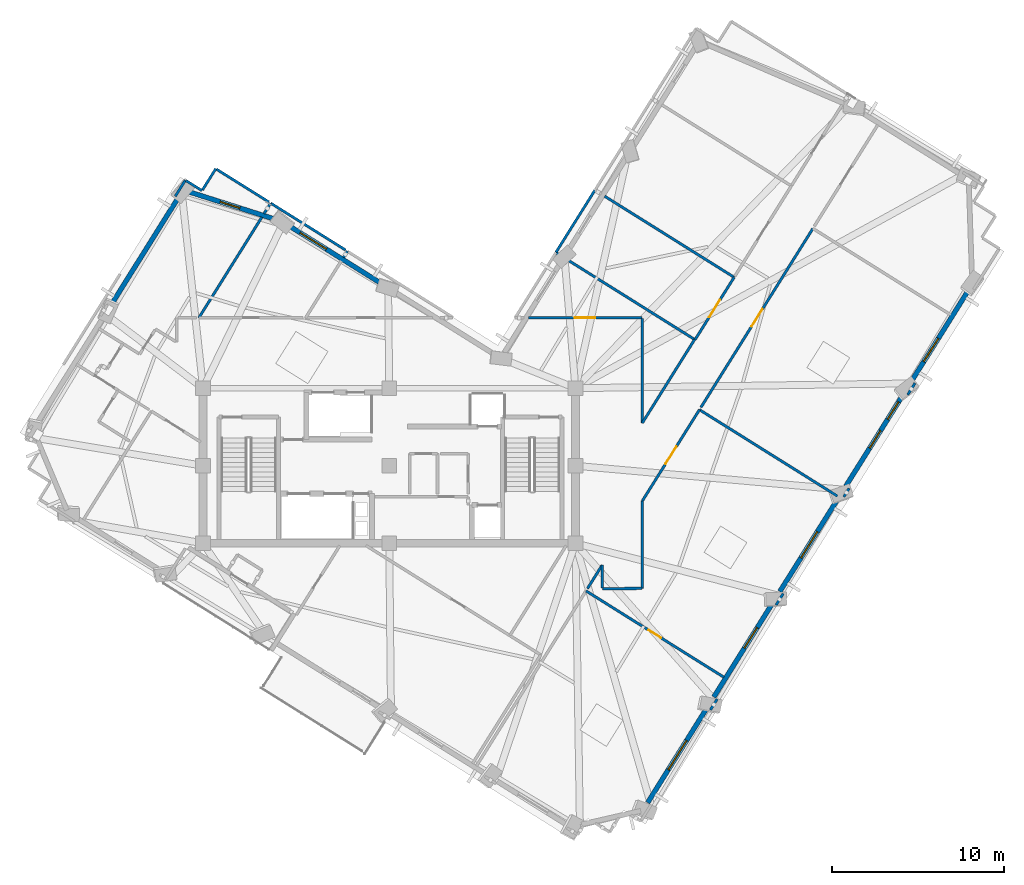
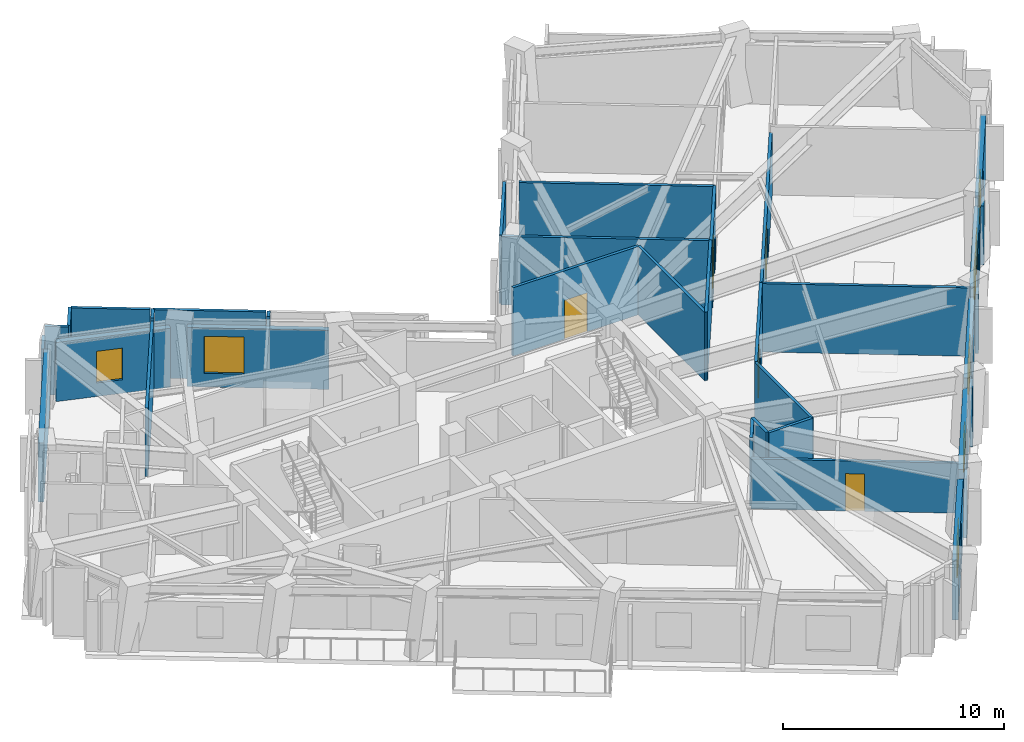
# One storey, part 7 of 12: 35 walls, 8 windows, 5 doors, 13 openings.
"""IFC4 building model written with IfcOpenShell, lengths in metres."""

from ifc_helpers import new_model, si_unit, direction, frame, frame_2d, origin, place, context, subcontext, project, spatial, rectangle, extrude, material, layer, layer_set, type_object, element, fill, save


model = new_model("IFC4")

# Units and contexts
model_context = context("Model", 3, precision=1e-05, world=origin(), true_north=direction((0.0, 1.0)))
body_context = subcontext(model_context, "Body", "Model", "MODEL_VIEW")
ifc_project = project(units=[si_unit("LENGTHUNIT", "METRE"), si_unit("AREAUNIT", "SQUARE_METRE"), si_unit("VOLUMEUNIT", "CUBIC_METRE"), si_unit("PLANEANGLEUNIT", "RADIAN"), si_unit("MASSUNIT", "GRAM", prefix="KILO")], contexts=[model_context])

# Site, building, storey
site_placement = place(None, origin())
site = spatial("IfcSite", under=ifc_project, at=site_placement, CompositionType="ELEMENT")
building_placement = place(site_placement, origin())
building = spatial("IfcBuilding", under=site, at=building_placement, Name="Gaonmaruhae Medical Tower", CompositionType="ELEMENT")
storey_placement = place(building_placement, frame((0.0, 0.0, 272.60009765625)))
storey = spatial("IfcBuildingStorey", under=building, at=storey_placement, Name="L65", CompositionType="ELEMENT", Elevation=272.60009765625)

# Wall, opening, window
ifc_material_1 = material(Name="Precast concrete C45/55", Category="concrete")
ifc_layer_1 = layer(ifc_material_1, 0.280029296875)
ifc_layer_set_1 = layer_set([ifc_layer_1], Name="Precast concrete C45/55")
wall_type_1 = type_object("IfcWallType", Name="EW-280 Upper Precast Masonry-Frame Facade Wall", PredefinedType="SOLIDWALL", material=ifc_layer_set_1)
wall_1_placement = place(storey_placement, frame((43.232666015625, -1.743408203125, 0.0), z_axis=(0.0, 0.0, 1.0), x_axis=(-0.530675623672, -0.847575001071, 0.0)))
wall_1 = element("IfcWall", 1, at=wall_1_placement, inside=storey, type_object=wall_type_1, Name="L65 Precast Masonry-Frame Wall S01-S02", PredefinedType="SOLIDWALL", context=body_context, shape_type="SweptSolid", body=[
    extrude(rectangle(XDim=6.484375, YDim=0.280029296875, at=frame_2d((3.2421875, 0.0))), origin(), (0.0, 0.0, 1.0), 3.264892578125),
])
opening_1_placement = place(wall_1_placement, frame((2.234130859375, 0.0, 0.75)))
opening_1 = element("IfcOpeningElement", 2, at=opening_1_placement, cuts=wall_1, Name="Opening WN-02", PredefinedType="OPENING", context=body_context, shape_type="SweptSolid", body=[
    extrude(rectangle(XDim=2.0, YDim=1.949951171875, at=frame_2d((1.0, 0.97509765625))), frame((0.0, 0.14990234375, 0.0), z_axis=(0.0, -1.0, 0.0), x_axis=(1.0, 0.0, 0.0)), (0.0, 0.0, 1.0), 0.300048828125),
])
ifc_material_2 = material(Name="Anodised aluminium and Low-E double glazing", Category="aluminium")
window_type_1 = type_object("IfcWindowType", Name="WN-02 Double-Bed Ward Punched Window 2000x1950", PartitioningType="SINGLE_PANEL", PredefinedType="WINDOW", material=ifc_material_2)
window_1_placement = place(opening_1_placement, origin())
window_1 = element("IfcWindow", 3, at=window_1_placement, inside=storey, type_object=window_type_1, Name="L65 Modular Facade Window S01", OverallHeight=1.949951171875, OverallWidth=2.0, PartitioningType="SINGLE_PANEL", PredefinedType="WINDOW", context=body_context, shape_type="SweptSolid", body=[
    extrude(rectangle(XDim=2.0, YDim=1.949951171875, at=frame_2d((1.0, 0.97509765625))), frame((0.0, 0.030029296875, 0.0), z_axis=(0.0, -1.0, 0.0), x_axis=(1.0, 0.0, 0.0)), (0.0, 0.0, 1.0), 0.06005859375),
])
fill(opening_1, window_1)

wall_2_placement = place(storey_placement, frame((47.0439453125, 4.343994140625, 0.0), z_axis=(0.0, 0.0, 1.0), x_axis=(-0.53066340858, -0.847582648946, 0.0)))
wall_2 = element("IfcWall", 4, at=wall_2_placement, inside=storey, type_object=wall_type_1, Name="L65 Precast Masonry-Frame Wall S02-S03", PredefinedType="SOLIDWALL", context=body_context, shape_type="SweptSolid", body=[
    extrude(rectangle(XDim=6.438720703125, YDim=0.280029296875, at=frame_2d((3.21923828125, 0.0))), origin(), (0.0, 0.0, 1.0), 3.264892578125),
])
opening_2_placement = place(wall_2_placement, frame((1.6953125, 0.0, 0.75)))
opening_2 = element("IfcOpeningElement", 5, at=opening_2_placement, cuts=wall_2, Name="Opening WN-03", PredefinedType="OPENING", context=body_context, shape_type="SweptSolid", body=[
    extrude(rectangle(XDim=1.39990234375, YDim=1.85009765625, at=frame_2d((0.699951171875, 0.925048828125))), frame((0.0, 0.14990234375, 0.0), z_axis=(0.0, -1.0, 0.0), x_axis=(1.0, 0.0, 0.0)), (0.0, 0.0, 1.0), 0.300048828125),
])
window_type_2 = type_object("IfcWindowType", Name="WN-03 Isolation Ward Punched Window 1400x1850", PartitioningType="SINGLE_PANEL", PredefinedType="WINDOW", material=ifc_material_2)
window_2_placement = place(opening_2_placement, origin())
window_2 = element("IfcWindow", 6, at=window_2_placement, inside=storey, type_object=window_type_2, Name="L65 Modular Facade Window S02", OverallHeight=1.85009765625, OverallWidth=1.39990234375, PartitioningType="SINGLE_PANEL", PredefinedType="WINDOW", context=body_context, shape_type="SweptSolid", body=[
    extrude(rectangle(XDim=1.39990234375, YDim=1.85009765625, at=frame_2d((0.699951171875, 0.925048828125))), frame((0.0, 0.030029296875, 0.0), z_axis=(0.0, -1.0, 0.0), x_axis=(1.0, 0.0, 0.0)), (0.0, 0.0, 1.0), 0.06005859375),
])
fill(opening_2, window_2)

wall_3_placement = place(storey_placement, frame((50.8603515625, 10.439697265625, 0.0), z_axis=(0.0, 0.0, 1.0), x_axis=(-0.530676257758, -0.847574604063, 0.0)))
wall_3 = element("IfcWall", 7, at=wall_3_placement, inside=storey, type_object=wall_type_1, Name="L65 Precast Masonry-Frame Wall S03-S04", PredefinedType="SOLIDWALL", context=body_context, shape_type="SweptSolid", body=[
    extrude(rectangle(XDim=6.41357421875, YDim=0.280029296875, at=frame_2d((3.206787109375, 0.0))), origin(), (0.0, 0.0, 1.0), 3.264892578125),
])
opening_3_placement = place(wall_3_placement, frame((2.3046875, 0.0, 0.75)))
opening_3 = element("IfcOpeningElement", 8, at=opening_3_placement, cuts=wall_3, Name="Opening WN-04", PredefinedType="OPENING", context=body_context, shape_type="SweptSolid", body=[
    extrude(rectangle(XDim=1.800048828125, YDim=2.050048828125, at=frame_2d((0.89990234375, 1.02490234375))), frame((0.0, 0.14990234375, 0.0), z_axis=(0.0, -1.0, 0.0), x_axis=(1.0, 0.0, 0.0)), (0.0, 0.0, 1.0), 0.300048828125),
])
window_type_3 = type_object("IfcWindowType", Name="WN-04 Clinic & Consult Punched Window 1800x2050", PartitioningType="SINGLE_PANEL", PredefinedType="WINDOW", material=ifc_material_2)
window_3_placement = place(opening_3_placement, origin())
window_3 = element("IfcWindow", 9, at=window_3_placement, inside=storey, type_object=window_type_3, Name="L65 Modular Facade Window S03", OverallHeight=2.050048828125, OverallWidth=1.800048828125, PartitioningType="SINGLE_PANEL", PredefinedType="WINDOW", context=body_context, shape_type="SweptSolid", body=[
    extrude(rectangle(XDim=1.800048828125, YDim=2.050048828125, at=frame_2d((0.89990234375, 1.02490234375))), frame((0.0, 0.030029296875, 0.0), z_axis=(0.0, -1.0, 0.0), x_axis=(1.0, 0.0, 0.0)), (0.0, 0.0, 1.0), 0.06005859375),
])
fill(opening_3, window_3)

# Wall, openings, windows
wall_4_placement = place(storey_placement, frame((54.681396484375, 16.54296875, 0.0), z_axis=(0.0, 0.0, 1.0), x_axis=(-0.530659848468, -0.847584877888, 0.0)))
wall_4 = element("IfcWall", 10, at=wall_4_placement, inside=storey, type_object=wall_type_1, Name="L65 Precast Masonry-Frame Wall S04-S05", PredefinedType="SOLIDWALL", context=body_context, shape_type="SweptSolid", body=[
    extrude(rectangle(XDim=6.406982421875, YDim=0.280029296875, at=frame_2d((3.20361328125, 0.0))), origin(), (0.0, 0.0, 1.0), 3.264892578125),
])
opening_4_placement = place(wall_4_placement, frame((2.603759765625, 0.0, 0.75)))
opening_4 = element("IfcOpeningElement", 11, at=opening_4_placement, cuts=wall_4, Name="Opening WN-05", PredefinedType="OPENING", context=body_context, shape_type="SweptSolid", body=[
    extrude(rectangle(XDim=1.199951171875, YDim=1.75, at=frame_2d((0.60009765625, 0.875))), frame((0.0, 0.14990234375, 0.0), z_axis=(0.0, -1.0, 0.0), x_axis=(1.0, 0.0, 0.0)), (0.0, 0.0, 1.0), 0.300048828125),
])
opening_5_placement = place(wall_4_placement, frame((0.637451171875, 0.0, 0.75)))
opening_5 = element("IfcOpeningElement", 12, at=opening_5_placement, cuts=wall_4, Name="Opening WN-05", PredefinedType="OPENING", context=body_context, shape_type="SweptSolid", body=[
    extrude(rectangle(XDim=1.199951171875, YDim=1.75, at=frame_2d((0.60009765625, 0.875))), frame((0.0, 0.14990234375, 0.0), z_axis=(0.0, -1.0, 0.0), x_axis=(1.0, 0.0, 0.0)), (0.0, 0.0, 1.0), 0.300048828125),
])
window_type_4 = type_object("IfcWindowType", Name="WN-05 Support & Staff Punched Window 1200x1750", PartitioningType="SINGLE_PANEL", PredefinedType="WINDOW", material=ifc_material_2)
window_4_placement = place(opening_4_placement, origin())
window_4 = element("IfcWindow", 13, at=window_4_placement, inside=storey, type_object=window_type_4, Name="L65 Modular Facade Window S04", OverallHeight=1.75, OverallWidth=1.199951171875, PartitioningType="SINGLE_PANEL", PredefinedType="WINDOW", context=body_context, shape_type="SweptSolid", body=[
    extrude(rectangle(XDim=1.199951171875, YDim=1.75, at=frame_2d((0.60009765625, 0.875))), frame((0.0, 0.030029296875, 0.0), z_axis=(0.0, -1.0, 0.0), x_axis=(1.0, 0.0, 0.0)), (0.0, 0.0, 1.0), 0.06005859375),
])
fill(opening_4, window_4)
window_5_placement = place(opening_5_placement, origin())
window_5 = element("IfcWindow", 14, at=window_5_placement, inside=storey, type_object=window_type_4, Name="L65 Modular Facade Window S04B", OverallHeight=1.75, OverallWidth=1.199951171875, PartitioningType="SINGLE_PANEL", PredefinedType="WINDOW", context=body_context, shape_type="SweptSolid", body=[
    extrude(rectangle(XDim=1.199951171875, YDim=1.75, at=frame_2d((0.60009765625, 0.875))), frame((0.0, 0.030029296875, 0.0), z_axis=(0.0, -1.0, 0.0), x_axis=(1.0, 0.0, 0.0)), (0.0, 0.0, 1.0), 0.06005859375),
])
fill(opening_5, window_5)

# Wall, opening, window
wall_5_placement = place(storey_placement, frame((58.50732421875, 22.65380859375, 0.0), z_axis=(0.0, 0.0, 1.0), x_axis=(-0.530658662943, -0.847585620125, 0.0)))
wall_5 = element("IfcWall", 15, at=wall_5_placement, inside=storey, type_object=wall_type_1, Name="L65 Precast Masonry-Frame Wall S05-S06", PredefinedType="SOLIDWALL", context=body_context, shape_type="SweptSolid", body=[
    extrude(rectangle(XDim=6.41845703125, YDim=0.280029296875, at=frame_2d((3.209228515625, 0.0))), origin(), (0.0, 0.0, 1.0), 3.264892578125),
])
opening_6_placement = place(wall_5_placement, frame((3.492919921875, 0.0, 0.75)))
opening_6 = element("IfcOpeningElement", 16, at=opening_6_placement, cuts=wall_5, Name="Opening WN-01", PredefinedType="OPENING", context=body_context, shape_type="SweptSolid", body=[
    extrude(rectangle(XDim=1.60009765625, YDim=1.949951171875, at=frame_2d((0.800048828125, 0.97509765625))), frame((0.0, 0.14990234375, 0.0), z_axis=(0.0, -1.0, 0.0), x_axis=(1.0, 0.0, 0.0)), (0.0, 0.0, 1.0), 0.300048828125),
])
window_type_5 = type_object("IfcWindowType", Name="WN-01 Ward Punched Acoustic Window 1600x1950", PartitioningType="SINGLE_PANEL", PredefinedType="WINDOW", material=ifc_material_2)
window_6_placement = place(opening_6_placement, origin())
window_6 = element("IfcWindow", 17, at=window_6_placement, inside=storey, type_object=window_type_5, Name="L65 Modular Facade Window S05", OverallHeight=1.949951171875, OverallWidth=1.60009765625, PartitioningType="SINGLE_PANEL", PredefinedType="WINDOW", context=body_context, shape_type="SweptSolid", body=[
    extrude(rectangle(XDim=1.60009765625, YDim=1.949951171875, at=frame_2d((0.800048828125, 0.97509765625))), frame((0.0, 0.030029296875, 0.0), z_axis=(0.0, -1.0, 0.0), x_axis=(1.0, 0.0, 0.0)), (0.0, 0.0, 1.0), 0.06005859375),
])
fill(opening_6, window_6)

wall_6_placement = place(storey_placement, frame((18.967041015625, 26.233642578125, 0.0), z_axis=(0.0, 0.0, 1.0), x_axis=(0.847594536736, -0.530644420771, 0.0)))
wall_6 = element("IfcWall", 18, at=wall_6_placement, inside=storey, type_object=wall_type_1, Name="L65 Precast Masonry-Frame Wall NE01-NE02", PredefinedType="SOLIDWALL", context=body_context, shape_type="SweptSolid", body=[
    extrude(rectangle(XDim=6.424072265625, YDim=0.280029296875, at=frame_2d((3.2119140625, 0.0))), origin(), (0.0, 0.0, 1.0), 3.264892578125),
])
opening_7_placement = place(wall_6_placement, frame((0.776123046875, 0.0, 0.75)))
opening_7 = element("IfcOpeningElement", 19, at=opening_7_placement, cuts=wall_6, Name="Opening WN-04", PredefinedType="OPENING", context=body_context, shape_type="SweptSolid", body=[
    extrude(rectangle(XDim=1.800048828125, YDim=2.050048828125, at=frame_2d((0.89990234375, 1.02490234375))), frame((0.0, 0.14990234375, 0.0), z_axis=(0.0, -1.0, 0.0), x_axis=(1.0, 0.0, 0.0)), (0.0, 0.0, 1.0), 0.300048828125),
])
window_7_placement = place(opening_7_placement, origin())
window_7 = element("IfcWindow", 20, at=window_7_placement, inside=storey, type_object=window_type_3, Name="L65 Modular Facade Window NE01", OverallHeight=2.050048828125, OverallWidth=1.800048828125, PartitioningType="SINGLE_PANEL", PredefinedType="WINDOW", context=body_context, shape_type="SweptSolid", body=[
    extrude(rectangle(XDim=1.800048828125, YDim=2.050048828125, at=frame_2d((0.89990234375, 1.02490234375))), frame((0.0, 0.030029296875, 0.0), z_axis=(0.0, -1.0, 0.0), x_axis=(1.0, 0.0, 0.0)), (0.0, 0.0, 1.0), 0.06005859375),
])
fill(opening_7, window_7)

wall_7_placement = place(storey_placement, frame((13.208740234375, 28.181640625, 0.0), z_axis=(0.0, 0.0, 1.0), x_axis=(0.952825347656, -0.303519121086, 0.0)))
wall_7 = element("IfcWall", 21, at=wall_7_placement, inside=storey, type_object=wall_type_1, Name="L65 Precast Masonry-Frame Wall NE02-N01", PredefinedType="SOLIDWALL", context=body_context, shape_type="SweptSolid", body=[
    extrude(rectangle(XDim=5.302490234375, YDim=0.280029296875, at=frame_2d((2.6513671875, 0.0))), origin(), (0.0, 0.0, 1.0), 3.264892578125),
])
opening_8_placement = place(wall_7_placement, frame((1.87548828125, 0.0, 0.75)))
opening_8 = element("IfcOpeningElement", 22, at=opening_8_placement, cuts=wall_7, Name="Opening WN-05", PredefinedType="OPENING", context=body_context, shape_type="SweptSolid", body=[
    extrude(rectangle(XDim=1.199951171875, YDim=1.75, at=frame_2d((0.60009765625, 0.875))), frame((0.0, 0.14990234375, 0.0), z_axis=(0.0, -1.0, 0.0), x_axis=(1.0, 0.0, 0.0)), (0.0, 0.0, 1.0), 0.300048828125),
])
window_8_placement = place(opening_8_placement, origin())
window_8 = element("IfcWindow", 23, at=window_8_placement, inside=storey, type_object=window_type_4, Name="L65 Modular Facade Window NE02", OverallHeight=1.75, OverallWidth=1.199951171875, PartitioningType="SINGLE_PANEL", PredefinedType="WINDOW", context=body_context, shape_type="SweptSolid", body=[
    extrude(rectangle(XDim=1.199951171875, YDim=1.75, at=frame_2d((0.60009765625, 0.875))), frame((0.0, 0.030029296875, 0.0), z_axis=(0.0, -1.0, 0.0), x_axis=(1.0, 0.0, 0.0)), (0.0, 0.0, 1.0), 0.06005859375),
])
fill(opening_8, window_8)

# Wall
wall_8_placement = place(storey_placement, frame((8.6044921875, 21.529052734375, 0.0), z_axis=(0.0, 0.0, 1.0), x_axis=(0.530668867354, 0.847579231235, 0.0)))
element("IfcWall", 24, at=wall_8_placement, inside=storey, type_object=wall_type_1, Name="L65 Precast Masonry-Frame Wall N01-N02", PredefinedType="SOLIDWALL", context=body_context, shape_type="SweptSolid", body=[
    extrude(rectangle(XDim=7.43408203125, YDim=0.280029296875, at=frame_2d((3.717041015625, 0.0))), origin(), (0.0, 0.0, 1.0), 3.264892578125),
])

# Wall, opening, door
ifc_material_3 = material(Name="Gypsum board partition", Category="gypsum")
ifc_layer_2 = layer(ifc_material_3, 0.14990234375)
ifc_layer_set_2 = layer_set([ifc_layer_2], Name="Gypsum board partition")
wall_type_2 = type_object("IfcWallType", Name="PW-150 Rated Clinical Corridor Partition", PredefinedType="PARTITIONING", material=ifc_layer_set_2)
wall_9_placement = place(storey_placement, frame((36.212890625, 5.0419921875, 0.0), z_axis=(0.0, 0.0, 1.0), x_axis=(0.84760270386, -0.530631375259, 0.0)))
wall_9 = element("IfcWall", 25, at=wall_9_placement, inside=storey, type_object=wall_type_2, Name="L65 Interior Partition L65-SUP01-13", PredefinedType="PARTITIONING", context=body_context, shape_type="SweptSolid", body=[
    extrude(rectangle(XDim=9.43603515625, YDim=0.14990234375, at=frame_2d((4.718017578125, 0.0))), origin(), (0.0, 0.0, 1.0), 2.764892578125),
])
opening_9_placement = place(wall_9_placement, frame((4.2880859375, 0.0, 0.0)))
opening_9 = element("IfcOpeningElement", 26, at=opening_9_placement, cuts=wall_9, Name="Opening AD-01", PredefinedType="OPENING", context=body_context, shape_type="SweptSolid", body=[
    extrude(rectangle(XDim=0.860107421875, YDim=2.06005859375, at=frame_2d((0.43017578125, 1.030029296875))), frame((0.0, 0.0849609375, 0.0), z_axis=(0.0, -1.0, 0.0), x_axis=(1.0, 0.0, 0.0)), (0.0, 0.0, 1.0), 0.169921875),
])
ifc_material_4 = material(Name="Powder-coated steel access door", Category="steel")
door_type_1 = type_object("IfcDoorType", Name="AD-01 Riser & Closet Access Fire Door 860x2060", OperationType="NOTDEFINED", PredefinedType="DOOR", material=ifc_material_4)
door_1_placement = place(opening_9_placement, origin())
door_1 = element("IfcDoor", 27, at=door_1_placement, inside=storey, type_object=door_type_1, Name="L65 Clinical Biomedical Charting Office Sliding Door", OperationType="SLIDING_TO_LEFT", OverallHeight=2.06005859375, OverallWidth=0.860107421875, PredefinedType="DOOR", context=body_context, shape_type="SweptSolid", body=[
    extrude(rectangle(XDim=0.860107421875, YDim=2.06005859375, at=frame_2d((0.43017578125, 1.030029296875))), frame((0.0, 0.02490234375, 0.0), z_axis=(0.0, -1.0, 0.0), x_axis=(1.0, 0.0, 0.0)), (0.0, 0.0, 1.0), 0.050048828125),
])
fill(opening_9, door_1)

# Walls
wall_10_placement = place(storey_placement, frame((43.822021484375, -1.235107421875, 0.0), z_axis=(0.0, 0.0, 1.0), x_axis=(-0.530353333929, -0.847776704793, 0.0)))
element("IfcWall", 28, at=wall_10_placement, inside=storey, type_object=wall_type_2, Name="L65 Interior Partition L65-SUP01-14", PredefinedType="PARTITIONING", context=body_context, shape_type="SweptSolid", body=[
    extrude(rectangle(XDim=0.742919921875, YDim=0.14990234375, at=frame_2d((0.37158203125, 0.0))), origin(), (0.0, 0.0, 1.0), 3.264892578125),
])
wall_11_placement = place(storey_placement, frame((37.179931640625, 5.169921875, 0.0), z_axis=(0.0, 0.0, 1.0), x_axis=(0.999975377948, 0.007017371073, 0.0)))
element("IfcWall", 29, at=wall_11_placement, inside=storey, type_object=wall_type_2, Name="L65 Interior Partition L65-SUP02-18", PredefinedType="PARTITIONING", context=body_context, shape_type="SweptSolid", body=[
    extrude(rectangle(XDim=2.296142578125, YDim=0.14990234375, at=frame_2d((1.14794921875, 0.0))), origin(), (0.0, 0.0, 1.0), 3.77978515625),
])
wall_12_placement = place(storey_placement, frame((39.47607421875, 5.18603515625, 0.0), z_axis=(0.0, 0.0, 1.0), x_axis=(0.000770007953, 0.999999703544, 0.0)))
element("IfcWall", 30, at=wall_12_placement, inside=storey, type_object=wall_type_2, Name="L65 Interior Partition L65-SUP02-19", PredefinedType="PARTITIONING", context=body_context, shape_type="SweptSolid", body=[
    extrude(rectangle(XDim=5.072998046875, YDim=0.14990234375, at=frame_2d((2.53662109375, 0.0))), origin(), (0.0, 0.0, 1.0), 3.77978515625),
])

# Wall, opening, door
wall_13_placement = place(storey_placement, frame((39.47998046875, 10.259033203125, 0.0), z_axis=(0.0, 0.0, 1.0), x_axis=(0.530673487846, 0.84757633833, 0.0)))
wall_13 = element("IfcWall", 31, at=wall_13_placement, inside=storey, type_object=wall_type_2, Name="L65 Interior Partition L65-SUP02-20", PredefinedType="PARTITIONING", context=body_context, shape_type="SweptSolid", body=[
    extrude(rectangle(XDim=6.244873046875, YDim=0.14990234375, at=frame_2d((3.12255859375, 0.0))), origin(), (0.0, 0.0, 1.0), 3.77978515625),
])
opening_10_placement = place(wall_13_placement, frame((2.5224609375, 0.0, 0.0)))
opening_10 = element("IfcOpeningElement", 32, at=opening_10_placement, cuts=wall_13, Name="Opening CD-02", PredefinedType="OPENING", context=body_context, shape_type="SweptSolid", body=[
    extrude(rectangle(XDim=1.199951171875, YDim=2.14990234375, at=frame_2d((0.60009765625, 1.074951171875))), frame((0.0, 0.0849609375, 0.0), z_axis=(0.0, -1.0, 0.0), x_axis=(1.0, 0.0, 0.0)), (0.0, 0.0, 1.0), 0.169921875),
])
ifc_material_5 = material(Name="Antimicrobial laminate timber fire door", Category="wood")
door_type_2 = type_object("IfcDoorType", Name="CD-02 Clinical Treatment & Procedure Door 1200x2150", OperationType="NOTDEFINED", PredefinedType="DOOR", material=ifc_material_5)
door_2_placement = place(opening_10_placement, origin())
door_2 = element("IfcDoor", 33, at=door_2_placement, inside=storey, type_object=door_type_2, Name="L65 Clinical Biomedical Charting Office Door", OperationType="SINGLE_SWING_LEFT", OverallHeight=2.14990234375, OverallWidth=1.199951171875, PredefinedType="DOOR", context=body_context, shape_type="SweptSolid", body=[
    extrude(rectangle(XDim=1.199951171875, YDim=2.14990234375, at=frame_2d((0.60009765625, 1.074951171875))), frame((0.0, 0.02490234375, 0.0), z_axis=(0.0, -1.0, 0.0), x_axis=(1.0, 0.0, 0.0)), (0.0, 0.0, 1.0), 0.050048828125),
])
fill(opening_10, door_2)

# Walls
wall_14_placement = place(storey_placement, frame((42.7939453125, 15.552001953125, 0.0), z_axis=(0.0, 0.0, 1.0), x_axis=(0.84754648377, -0.530721167704, 0.0)))
element("IfcWall", 34, at=wall_14_placement, inside=storey, type_object=wall_type_2, Name="L65 Interior Partition L65-SUP02-21", PredefinedType="PARTITIONING", context=body_context, shape_type="SweptSolid", body=[
    extrude(rectangle(XDim=9.447265625, YDim=0.14990234375, at=frame_2d((4.7236328125, 0.0))), origin(), (0.0, 0.0, 1.0), 3.77978515625),
])
wall_15_placement = place(storey_placement, frame((47.652099609375, 4.882080078125, 0.0), z_axis=(0.0, 0.0, 1.0), x_axis=(-0.530449748076, -0.847716382268, 0.0)))
element("IfcWall", 35, at=wall_15_placement, inside=storey, type_object=wall_type_2, Name="L65 Interior Partition L65-SUP02-22", PredefinedType="PARTITIONING", context=body_context, shape_type="SweptSolid", body=[
    extrude(rectangle(XDim=0.77880859375, YDim=0.14990234375, at=frame_2d((0.389404296875, 0.0))), origin(), (0.0, 0.0, 1.0), 3.264892578125),
])
wall_16_placement = place(storey_placement, frame((36.298095703125, 5.177001953125, 0.0), z_axis=(0.0, 0.0, 1.0), x_axis=(0.53050454214, 0.847682092986, 0.0)))
element("IfcWall", 36, at=wall_16_placement, inside=storey, type_object=wall_type_2, Name="L65 Interior Partition L65-SUP02-23", PredefinedType="PARTITIONING", context=body_context, shape_type="SweptSolid", body=[
    extrude(rectangle(XDim=1.605712890625, YDim=0.14990234375, at=frame_2d((0.802734375, 0.0))), origin(), (0.0, 0.0, 1.0), 3.77978515625),
])
wall_17_placement = place(storey_placement, frame((37.14990234375, 6.5380859375, 0.0), z_axis=(0.0, 0.0, 1.0), x_axis=(0.0, -1.0, 0.0)))
element("IfcWall", 37, at=wall_17_placement, inside=storey, type_object=wall_type_2, Name="L65 Interior Partition L65-SUP02-24", PredefinedType="PARTITIONING", context=body_context, shape_type="SweptSolid", body=[
    extrude(rectangle(XDim=1.341064453125, YDim=0.14990234375, at=frame_2d((0.67041015625, 0.0))), origin(), (0.0, 0.0, 1.0), 3.77978515625),
])

# Wall, opening, door
wall_18_placement = place(storey_placement, frame((42.8779296875, 15.68701171875, 0.0), z_axis=(0.0, 0.0, 1.0), x_axis=(0.530687191851, 0.847567758002, 0.0)))
wall_18 = element("IfcWall", 38, at=wall_18_placement, inside=storey, type_object=wall_type_2, Name="L65 Interior Partition L65-SUP03-25", PredefinedType="PARTITIONING", context=body_context, shape_type="SweptSolid", body=[
    extrude(rectangle(XDim=12.240966796875, YDim=0.14990234375, at=frame_2d((6.12060546875, 0.0))), origin(), (0.0, 0.0, 1.0), 3.414794921875),
])
opening_11_placement = place(wall_18_placement, frame((5.5205078125, 0.0, 0.0)))
opening_11 = element("IfcOpeningElement", 39, at=opening_11_placement, cuts=wall_18, Name="Opening CD-02", PredefinedType="OPENING", context=body_context, shape_type="SweptSolid", body=[
    extrude(rectangle(XDim=1.199951171875, YDim=2.14990234375, at=frame_2d((0.60009765625, 1.074951171875))), frame((0.0, 0.0849609375, 0.0), z_axis=(0.0, -1.0, 0.0), x_axis=(1.0, 0.0, 0.0)), (0.0, 0.0, 1.0), 0.169921875),
])
door_3_placement = place(opening_11_placement, origin())
door_3 = element("IfcDoor", 40, at=door_3_placement, inside=storey, type_object=door_type_2, Name="L65 Clinical Biomedical Charting Office Door", OperationType="SINGLE_SWING_RIGHT", OverallHeight=2.14990234375, OverallWidth=1.199951171875, PredefinedType="DOOR", context=body_context, shape_type="SweptSolid", body=[
    extrude(rectangle(XDim=1.199951171875, YDim=2.14990234375, at=frame_2d((0.60009765625, 1.074951171875))), frame((0.0, 0.02490234375, 0.0), z_axis=(0.0, -1.0, 0.0), x_axis=(1.0, 0.0, 0.0)), (0.0, 0.0, 1.0), 0.050048828125),
])
fill(opening_11, door_3)

# Walls
wall_19_placement = place(storey_placement, frame((55.2958984375, 17.092041015625, 0.0), z_axis=(0.0, 0.0, 1.0), x_axis=(-0.53041467039, -0.847738330757, 0.0)))
element("IfcWall", 41, at=wall_19_placement, inside=storey, type_object=wall_type_2, Name="L65 Interior Partition L65-SUP03-27", PredefinedType="PARTITIONING", context=body_context, shape_type="SweptSolid", body=[
    extrude(rectangle(XDim=0.791748046875, YDim=0.14990234375, at=frame_2d((0.39599609375, 0.0))), origin(), (0.0, 0.0, 1.0), 3.264892578125),
])
wall_20_placement = place(storey_placement, frame((51.47607421875, 10.990966796875, 0.0), z_axis=(0.0, 0.0, 1.0), x_axis=(-0.530036692051, -0.847974707806, 0.0)))
element("IfcWall", 42, at=wall_20_placement, inside=storey, type_object=wall_type_2, Name="L65 Interior Partition L65-SUP03-28", PredefinedType="PARTITIONING", context=body_context, shape_type="SweptSolid", body=[
    extrude(rectangle(XDim=0.581298828125, YDim=0.14990234375, at=frame_2d((0.29052734375, 0.0))), origin(), (0.0, 0.0, 1.0), 3.264892578125),
])

# Wall, opening, door
wall_21_placement = place(storey_placement, frame((39.449951171875, 20.8798828125, 0.0), z_axis=(0.0, 0.0, 1.0), x_axis=(-1.0, 0.0, 0.0)))
wall_21 = element("IfcWall", 43, at=wall_21_placement, inside=storey, type_object=wall_type_2, Name="L65 Interior Partition L65-IE01-57", PredefinedType="PARTITIONING", context=body_context, shape_type="SweptSolid", body=[
    extrude(rectangle(XDim=6.575927734375, YDim=0.14990234375, at=frame_2d((3.2880859375, 0.0))), origin(), (0.0, 0.0, 1.0), 3.77978515625),
])
opening_12_placement = place(wall_21_placement, frame((2.68798828125, 0.0, 0.0)))
opening_12 = element("IfcOpeningElement", 44, at=opening_12_placement, cuts=wall_21, Name="Opening CD-02", PredefinedType="OPENING", context=body_context, shape_type="SweptSolid", body=[
    extrude(rectangle(XDim=1.199951171875, YDim=2.14990234375, at=frame_2d((0.60009765625, 1.074951171875))), frame((0.0, 0.0849609375, 0.0), z_axis=(0.0, -1.0, 0.0), x_axis=(1.0, 0.0, 0.0)), (0.0, 0.0, 1.0), 0.169921875),
])
door_4_placement = place(opening_12_placement, origin())
door_4 = element("IfcDoor", 45, at=door_4_placement, inside=storey, type_object=door_type_2, Name="L65 Central Clinical Nurse Station Door", OperationType="SINGLE_SWING_RIGHT", OverallHeight=2.14990234375, OverallWidth=1.199951171875, PredefinedType="DOOR", context=body_context, shape_type="SweptSolid", body=[
    extrude(rectangle(XDim=1.199951171875, YDim=2.14990234375, at=frame_2d((0.60009765625, 1.074951171875))), frame((0.0, 0.02490234375, 0.0), z_axis=(0.0, -1.0, 0.0), x_axis=(1.0, 0.0, 0.0)), (0.0, 0.0, 1.0), 0.050048828125),
])
fill(opening_12, door_4)

# Walls
wall_22_placement = place(storey_placement, frame((34.4619140625, 24.669921875, 0.0), z_axis=(0.0, 0.0, 1.0), x_axis=(0.847549004831, -0.53071714162, 0.0)))
element("IfcWall", 46, at=wall_22_placement, inside=storey, type_object=wall_type_2, Name="L65 Interior Partition L65-IE01-60", PredefinedType="PARTITIONING", context=body_context, shape_type="SweptSolid", body=[
    extrude(rectangle(XDim=9.500244140625, YDim=0.14990234375, at=frame_2d((4.75, 0.0))), origin(), (0.0, 0.0, 1.0), 3.77978515625),
])
wall_23_placement = place(storey_placement, frame((42.513916015625, 19.6279296875, 0.0), z_axis=(0.0, 0.0, 1.0), x_axis=(-0.530655141338, -0.847587824931, 0.0)))
element("IfcWall", 47, at=wall_23_placement, inside=storey, type_object=wall_type_2, Name="L65 Interior Partition L65-IE01-61", PredefinedType="PARTITIONING", context=body_context, shape_type="SweptSolid", body=[
    extrude(rectangle(XDim=5.71728515625, YDim=0.14990234375, at=frame_2d((2.858642578125, 0.0))), origin(), (0.0, 0.0, 1.0), 3.77978515625),
])
wall_24_placement = place(storey_placement, frame((39.47998046875, 14.781982421875, 0.0), z_axis=(0.0, 0.0, 1.0), x_axis=(0.0, 1.0, 0.0)))
element("IfcWall", 48, at=wall_24_placement, inside=storey, type_object=wall_type_2, Name="L65 Interior Partition L65-IE01-62", PredefinedType="PARTITIONING", context=body_context, shape_type="SweptSolid", body=[
    extrude(rectangle(XDim=6.071044921875, YDim=0.14990234375, at=frame_2d((3.03564453125, 0.0))), origin(), (0.0, 0.0, 1.0), 3.77978515625),
])
wall_25_placement = place(storey_placement, frame((22.14111328125, 24.382080078125, 0.0), z_axis=(0.0, 0.0, 1.0), x_axis=(0.531665012804, 0.846954729699, 0.0)))
element("IfcWall", 49, at=wall_25_placement, inside=storey, type_object=wall_type_2, Name="L65 Interior Partition L65-IN01-66", PredefinedType="PARTITIONING", context=body_context, shape_type="SweptSolid", body=[
    extrude(rectangle(XDim=0.434326171875, YDim=0.14990234375, at=frame_2d((0.21728515625, 0.0))), origin(), (0.0, 0.0, 1.0), 3.77978515625),
])
wall_26_placement = place(storey_placement, frame((13.7548828125, 20.8798828125, 0.0), z_axis=(0.0, 0.0, 1.0), x_axis=(0.530721458617, 0.847546301605, 0.0)))
element("IfcWall", 50, at=wall_26_placement, inside=storey, type_object=wall_type_2, Name="L65 Interior Partition L65-IN02-69", PredefinedType="PARTITIONING", context=body_context, shape_type="SweptSolid", body=[
    extrude(rectangle(XDim=6.892822265625, YDim=0.14990234375, at=frame_2d((3.4462890625, 0.0))), origin(), (0.0, 0.0, 1.0), 3.77978515625),
])
wall_27_placement = place(storey_placement, frame((17.5390625, 26.923095703125, 0.0), z_axis=(0.0, 0.0, 1.0), x_axis=(0.531030285818, 0.847352840052, 0.0)))
element("IfcWall", 51, at=wall_27_placement, inside=storey, type_object=wall_type_2, Name="L65 Interior Partition L65-IN02-70", PredefinedType="PARTITIONING", context=body_context, shape_type="SweptSolid", body=[
    extrude(rectangle(XDim=0.72314453125, YDim=0.14990234375, at=frame_2d((0.361572265625, 0.0))), origin(), (0.0, 0.0, 1.0), 3.77978515625),
])
wall_28_placement = place(storey_placement, frame((17.923095703125, 27.535888671875, 0.0), z_axis=(0.0, 0.0, 1.0), x_axis=(0.847605017628, -0.530627679349, 0.0)))
element("IfcWall", 52, at=wall_28_placement, inside=storey, type_object=wall_type_2, Name="L65 Interior Partition L65-IN02-71", PredefinedType="PARTITIONING", context=body_context, shape_type="SweptSolid", body=[
    extrude(rectangle(XDim=5.129638671875, YDim=0.14990234375, at=frame_2d((2.56494140625, 0.0))), origin(), (0.0, 0.0, 1.0), 3.77978515625),
])
wall_29_placement = place(storey_placement, frame((12.387939453125, 27.930908203125, 0.0), z_axis=(0.0, 0.0, 1.0), x_axis=(0.530755372275, 0.847525064409, 0.0)))
element("IfcWall", 53, at=wall_29_placement, inside=storey, type_object=wall_type_2, Name="L65 Interior Partition L65-IN03-77", PredefinedType="PARTITIONING", context=body_context, shape_type="SweptSolid", body=[
    extrude(rectangle(XDim=1.10205078125, YDim=0.14990234375, at=frame_2d((0.551025390625, 0.0))), origin(), (0.0, 0.0, 1.0), 3.264892578125),
])
wall_30_placement = place(storey_placement, frame((13.014892578125, 28.837890625, 0.0), z_axis=(0.0, 0.0, 1.0), x_axis=(0.848111459757, -0.529817847782, 0.0)))
element("IfcWall", 54, at=wall_30_placement, inside=storey, type_object=wall_type_2, Name="L65 Interior Partition L65-IN03-78", PredefinedType="PARTITIONING", context=body_context, shape_type="SweptSolid", body=[
    extrude(rectangle(XDim=1.0908203125, YDim=0.14990234375, at=frame_2d((0.54541015625, 0.0))), origin(), (0.0, 0.0, 1.0), 3.77978515625),
])
wall_31_placement = place(storey_placement, frame((13.967041015625, 28.302001953125, 0.0), z_axis=(0.0, 0.0, 1.0), x_axis=(0.530150213956, 0.847903739019, 0.0)))
element("IfcWall", 55, at=wall_31_placement, inside=storey, type_object=wall_type_2, Name="L65 Interior Partition L65-IN03-79", PredefinedType="PARTITIONING", context=body_context, shape_type="SweptSolid", body=[
    extrude(rectangle(XDim=1.45068359375, YDim=0.14990234375, at=frame_2d((0.725341796875, 0.0))), origin(), (0.0, 0.0, 1.0), 3.77978515625),
])
wall_32_placement = place(storey_placement, frame((14.778076171875, 29.5048828125, 0.0), z_axis=(0.0, 0.0, 1.0), x_axis=(0.847631325051, -0.530585654529, 0.0)))
element("IfcWall", 56, at=wall_32_placement, inside=storey, type_object=wall_type_2, Name="L65 Interior Partition L65-IN03-80", PredefinedType="PARTITIONING", context=body_context, shape_type="SweptSolid", body=[
    extrude(rectangle(XDim=3.590087890625, YDim=0.14990234375, at=frame_2d((1.794921875, 0.0))), origin(), (0.0, 0.0, 1.0), 3.77978515625),
])
wall_33_placement = place(storey_placement, frame((34.472900390625, 24.68701171875, 0.0), z_axis=(0.0, 0.0, 1.0), x_axis=(0.530772811919, 0.84751414273, 0.0)))
element("IfcWall", 57, at=wall_33_placement, inside=storey, type_object=wall_type_2, Name="L65 Interior Partition L65-RM04-91", PredefinedType="PARTITIONING", context=body_context, shape_type="SweptSolid", body=[
    extrude(rectangle(XDim=4.25244140625, YDim=0.14990234375, at=frame_2d((2.126220703125, 0.0))), origin(), (0.0, 0.0, 1.0), 3.77978515625),
])
wall_34_placement = place(storey_placement, frame((37.29296875, 27.93798828125, 0.0), z_axis=(0.0, 0.0, 1.0), x_axis=(0.847597339737, -0.530639943531, 0.0)))
element("IfcWall", 58, at=wall_34_placement, inside=storey, type_object=wall_type_2, Name="L65 Interior Partition L65-RM04-93", PredefinedType="PARTITIONING", context=body_context, shape_type="SweptSolid", body=[
    extrude(rectangle(XDim=8.864990234375, YDim=0.14990234375, at=frame_2d((4.4326171875, 0.0))), origin(), (0.0, 0.0, 1.0), 3.77978515625),
])

# Wall, opening, door
wall_35_placement = place(storey_placement, frame((44.806884765625, 23.23388671875, 0.0), z_axis=(0.0, 0.0, 1.0), x_axis=(-0.530702319906, -0.847558285693, 0.0)))
wall_35 = element("IfcWall", 59, at=wall_35_placement, inside=storey, type_object=wall_type_2, Name="L65 Interior Partition L65-RM04-94", PredefinedType="PARTITIONING", context=body_context, shape_type="SweptSolid", body=[
    extrude(rectangle(XDim=4.273193359375, YDim=0.14990234375, at=frame_2d((2.13671875, 0.0))), origin(), (0.0, 0.0, 1.0), 3.77978515625),
])
opening_13_placement = place(wall_35_placement, frame((1.53662109375, 0.0, 0.0)))
opening_13 = element("IfcOpeningElement", 60, at=opening_13_placement, cuts=wall_35, Name="Opening CD-02", PredefinedType="OPENING", context=body_context, shape_type="SweptSolid", body=[
    extrude(rectangle(XDim=1.199951171875, YDim=2.14990234375, at=frame_2d((0.60009765625, 1.074951171875))), frame((0.0, 0.0849609375, 0.0), z_axis=(0.0, -1.0, 0.0), x_axis=(1.0, 0.0, 0.0)), (0.0, 0.0, 1.0), 0.169921875),
])
door_5_placement = place(opening_13_placement, origin())
door_5 = element("IfcDoor", 61, at=door_5_placement, inside=storey, type_object=door_type_2, Name="L65 Clinical Records Office Door", OperationType="SINGLE_SWING_LEFT", OverallHeight=2.14990234375, OverallWidth=1.199951171875, PredefinedType="DOOR", context=body_context, shape_type="SweptSolid", body=[
    extrude(rectangle(XDim=1.199951171875, YDim=2.14990234375, at=frame_2d((0.60009765625, 1.074951171875))), frame((0.0, 0.02490234375, 0.0), z_axis=(0.0, -1.0, 0.0), x_axis=(1.0, 0.0, 0.0)), (0.0, 0.0, 1.0), 0.050048828125),
])
fill(opening_13, door_5)

save(model, "model.ifc")
